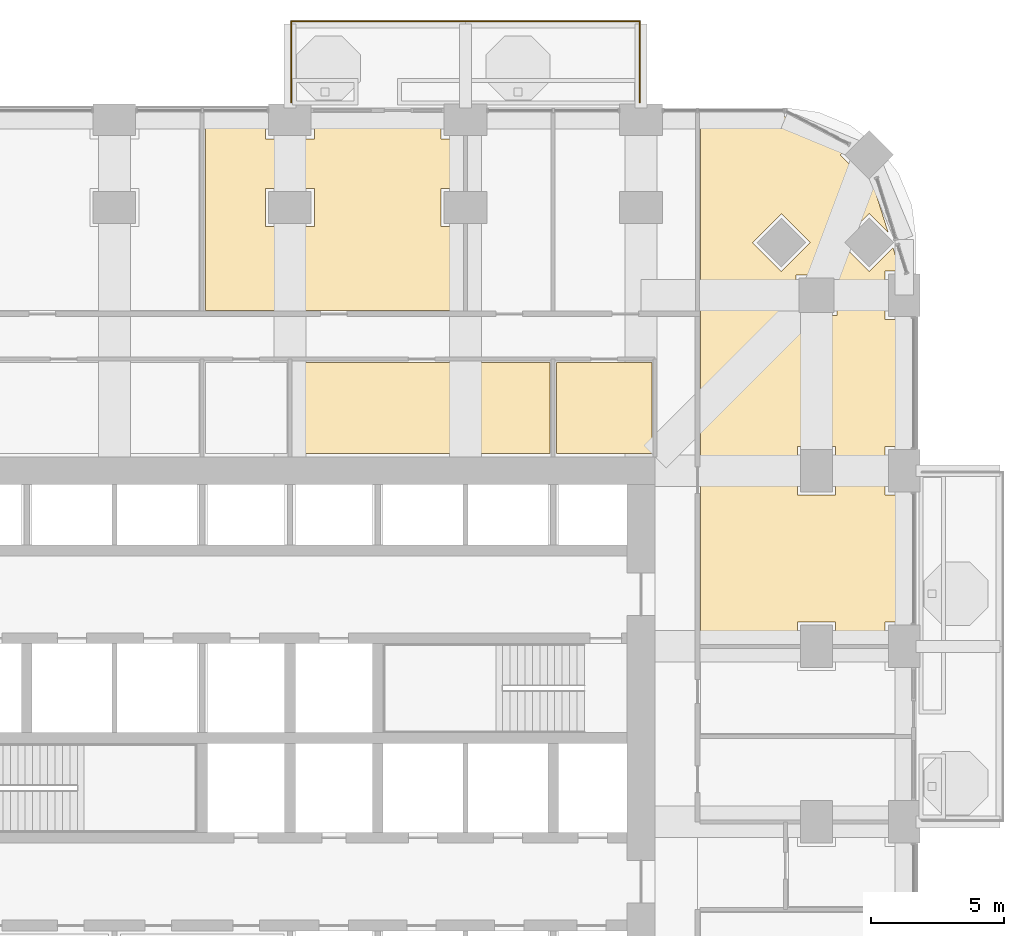
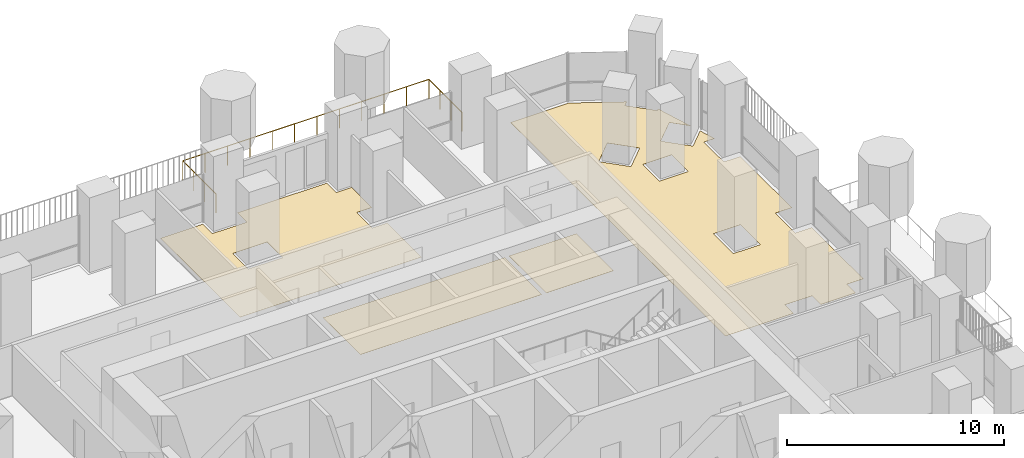
# One storey, part 21 of 22: 4 coverings, 1 railing.
"""IFC4 building model written with IfcOpenShell, lengths in metres."""

from ifc_helpers import new_model, si_unit, direction, frame, origin, place, context, subcontext, project, spatial, polyline, outline, extrude, material, layer, layer_set, type_object, element, save


model = new_model("IFC4")

# Units and contexts
model_context = context("Model", 3, precision=1e-05, world=origin(), true_north=direction((0.0, 1.0)))
body_context = subcontext(model_context, "Body", "Model", "MODEL_VIEW")
ifc_project = project(units=[si_unit("LENGTHUNIT", "METRE"), si_unit("AREAUNIT", "SQUARE_METRE"), si_unit("VOLUMEUNIT", "CUBIC_METRE"), si_unit("PLANEANGLEUNIT", "RADIAN"), si_unit("MASSUNIT", "GRAM", prefix="KILO")], contexts=[model_context])

# Site, building, storey
site_placement = place(None, origin())
site = spatial("IfcSite", under=ifc_project, at=site_placement, CompositionType="ELEMENT")
building_placement = place(site_placement, origin())
building = spatial("IfcBuilding", under=site, at=building_placement, Name="Cobogo Forest Laboratory Tower", CompositionType="ELEMENT")
storey_placement = place(building_placement, frame((0.0, 0.0, 94.800048828125)))
storey = spatial("IfcBuildingStorey", under=building, at=storey_placement, Name="L21", CompositionType="ELEMENT", Elevation=94.800048828125)

# Railing
ifc_material_1 = material(Name="Laminated glass balustrade", Category="glass")
railing_type = type_object("IfcRailingType", Name="BG1 glass balustrade 1100", PredefinedType="GUARDRAIL", material=ifc_material_1)
railing_placement = place(storey_placement, frame((26.449951171875, 46.85009765625, 0.0)))
element("IfcRailing", 1, at=railing_placement, inside=storey, type_object=railing_type, Name="Balcony balustrade BAL-N1 L21", PredefinedType="GUARDRAIL", context=body_context, shape_type="SweptSolid", body=[
    extrude(outline(polyline([(0.022216796875, 0.00927734375), (0.00927734375, 0.022216796875), (-0.00927734375, 0.022216796875), (-0.022216796875, 0.00927734375), (-0.022216796875, -0.00927734375), (-0.00927734375, -0.022216796875), (0.00927734375, -0.022216796875), (0.022216796875, -0.00927734375), (0.022216796875, 0.00927734375)])), frame((0.0, 0.0, 1.077880859375), z_axis=(0.0, 1.0, 0.0), x_axis=(-1.0, 0.0, 0.0)), (0.0, 0.0, 1.0), 3.0498046875),
    extrude(outline(polyline([(0.022216796875, 0.00927734375), (0.00927734375, 0.022216796875), (-0.00927734375, 0.022216796875), (-0.022216796875, 0.00927734375), (-0.022216796875, -0.00927734375), (-0.00927734375, -0.022216796875), (0.00927734375, -0.022216796875), (0.022216796875, -0.00927734375), (0.022216796875, 0.00927734375)])), frame((0.0, 3.0498046875, 1.077880859375), z_axis=(1.0, 0.0, 0.0), x_axis=(0.0, 1.0, 0.0)), (0.0, 0.0, 1.0), 13.10009765625),
    extrude(outline(polyline([(0.022216796875, 0.00927734375), (0.00927734375, 0.022216796875), (-0.00927734375, 0.022216796875), (-0.022216796875, 0.00927734375), (-0.022216796875, -0.00927734375), (-0.00927734375, -0.022216796875), (0.00927734375, -0.022216796875), (0.022216796875, -0.00927734375), (0.022216796875, 0.00927734375)])), frame((13.10009765625, 3.0498046875, 1.077880859375), z_axis=(0.0, -1.0, 0.0), x_axis=(1.0, 0.0, 0.0)), (0.0, 0.0, 1.0), 3.0498046875),
    extrude(outline(polyline([(0.019287109375, 0.008056640625), (0.008056640625, 0.019287109375), (-0.008056640625, 0.019287109375), (-0.019287109375, 0.008056640625), (-0.019287109375, -0.008056640625), (-0.008056640625, -0.019287109375), (0.008056640625, -0.019287109375), (0.019287109375, -0.008056640625), (0.019287109375, 0.008056640625)])), origin(), (0.0, 0.0, 1.0), 1.077880859375),
    extrude(outline(polyline([(0.019287109375, 0.008056640625), (0.008056640625, 0.019287109375), (-0.008056640625, 0.019287109375), (-0.019287109375, 0.008056640625), (-0.019287109375, -0.008056640625), (-0.008056640625, -0.019287109375), (0.008056640625, -0.019287109375), (0.019287109375, -0.008056640625), (0.019287109375, 0.008056640625)])), frame((0.0, 1.0166015625, 0.0)), (0.0, 0.0, 1.0), 1.077880859375),
    extrude(outline(polyline([(0.019287109375, 0.008056640625), (0.008056640625, 0.019287109375), (-0.008056640625, 0.019287109375), (-0.019287109375, 0.008056640625), (-0.019287109375, -0.008056640625), (-0.008056640625, -0.019287109375), (0.008056640625, -0.019287109375), (0.019287109375, -0.008056640625), (0.019287109375, 0.008056640625)])), frame((0.0, 2.033203125, 0.0)), (0.0, 0.0, 1.0), 1.077880859375),
    extrude(outline(polyline([(0.019287109375, 0.008056640625), (0.008056640625, 0.019287109375), (-0.008056640625, 0.019287109375), (-0.019287109375, 0.008056640625), (-0.019287109375, -0.008056640625), (-0.008056640625, -0.019287109375), (0.008056640625, -0.019287109375), (0.019287109375, -0.008056640625), (0.019287109375, 0.008056640625)])), frame((0.0, 3.0498046875, 0.0)), (0.0, 0.0, 1.0), 1.077880859375),
    extrude(outline(polyline([(0.019287109375, 0.008056640625), (0.008056640625, 0.019287109375), (-0.008056640625, 0.019287109375), (-0.019287109375, 0.008056640625), (-0.019287109375, -0.008056640625), (-0.008056640625, -0.019287109375), (0.008056640625, -0.019287109375), (0.019287109375, -0.008056640625), (0.019287109375, 0.008056640625)])), frame((1.19091796875, 3.0498046875, 0.0)), (0.0, 0.0, 1.0), 1.077880859375),
    extrude(outline(polyline([(0.019287109375, 0.008056640625), (0.008056640625, 0.019287109375), (-0.008056640625, 0.019287109375), (-0.019287109375, 0.008056640625), (-0.019287109375, -0.008056640625), (-0.008056640625, -0.019287109375), (0.008056640625, -0.019287109375), (0.019287109375, -0.008056640625), (0.019287109375, 0.008056640625)])), frame((2.3818359375, 3.0498046875, 0.0)), (0.0, 0.0, 1.0), 1.077880859375),
    extrude(outline(polyline([(0.019287109375, 0.008056640625), (0.008056640625, 0.019287109375), (-0.008056640625, 0.019287109375), (-0.019287109375, 0.008056640625), (-0.019287109375, -0.008056640625), (-0.008056640625, -0.019287109375), (0.008056640625, -0.019287109375), (0.019287109375, -0.008056640625), (0.019287109375, 0.008056640625)])), frame((3.57275390625, 3.0498046875, 0.0)), (0.0, 0.0, 1.0), 1.077880859375),
    extrude(outline(polyline([(0.019287109375, 0.008056640625), (0.008056640625, 0.019287109375), (-0.008056640625, 0.019287109375), (-0.019287109375, 0.008056640625), (-0.019287109375, -0.008056640625), (-0.008056640625, -0.019287109375), (0.008056640625, -0.019287109375), (0.019287109375, -0.008056640625), (0.019287109375, 0.008056640625)])), frame((4.763671875, 3.0498046875, 0.0)), (0.0, 0.0, 1.0), 1.077880859375),
    extrude(outline(polyline([(0.019287109375, 0.008056640625), (0.008056640625, 0.019287109375), (-0.008056640625, 0.019287109375), (-0.019287109375, 0.008056640625), (-0.019287109375, -0.008056640625), (-0.008056640625, -0.019287109375), (0.008056640625, -0.019287109375), (0.019287109375, -0.008056640625), (0.019287109375, 0.008056640625)])), frame((5.95458984375, 3.0498046875, 0.0)), (0.0, 0.0, 1.0), 1.077880859375),
    extrude(outline(polyline([(0.019287109375, 0.008056640625), (0.008056640625, 0.019287109375), (-0.008056640625, 0.019287109375), (-0.019287109375, 0.008056640625), (-0.019287109375, -0.008056640625), (-0.008056640625, -0.019287109375), (0.008056640625, -0.019287109375), (0.019287109375, -0.008056640625), (0.019287109375, 0.008056640625)])), frame((7.1455078125, 3.0498046875, 0.0)), (0.0, 0.0, 1.0), 1.077880859375),
    extrude(outline(polyline([(0.019287109375, 0.008056640625), (0.008056640625, 0.019287109375), (-0.008056640625, 0.019287109375), (-0.019287109375, 0.008056640625), (-0.019287109375, -0.008056640625), (-0.008056640625, -0.019287109375), (0.008056640625, -0.019287109375), (0.019287109375, -0.008056640625), (0.019287109375, 0.008056640625)])), frame((8.33642578125, 3.0498046875, 0.0)), (0.0, 0.0, 1.0), 1.077880859375),
    extrude(outline(polyline([(0.019287109375, 0.008056640625), (0.008056640625, 0.019287109375), (-0.008056640625, 0.019287109375), (-0.019287109375, 0.008056640625), (-0.019287109375, -0.008056640625), (-0.008056640625, -0.019287109375), (0.008056640625, -0.019287109375), (0.019287109375, -0.008056640625), (0.019287109375, 0.008056640625)])), frame((9.52734375, 3.0498046875, 0.0)), (0.0, 0.0, 1.0), 1.077880859375),
    extrude(outline(polyline([(0.019287109375, 0.008056640625), (0.008056640625, 0.019287109375), (-0.008056640625, 0.019287109375), (-0.019287109375, 0.008056640625), (-0.019287109375, -0.008056640625), (-0.008056640625, -0.019287109375), (0.008056640625, -0.019287109375), (0.019287109375, -0.008056640625), (0.019287109375, 0.008056640625)])), frame((10.71826171875, 3.0498046875, 0.0)), (0.0, 0.0, 1.0), 1.077880859375),
    extrude(outline(polyline([(0.019287109375, 0.008056640625), (0.008056640625, 0.019287109375), (-0.008056640625, 0.019287109375), (-0.019287109375, 0.008056640625), (-0.019287109375, -0.008056640625), (-0.008056640625, -0.019287109375), (0.008056640625, -0.019287109375), (0.019287109375, -0.008056640625), (0.019287109375, 0.008056640625)])), frame((11.9091796875, 3.0498046875, 0.0)), (0.0, 0.0, 1.0), 1.077880859375),
    extrude(outline(polyline([(0.019287109375, 0.008056640625), (0.008056640625, 0.019287109375), (-0.008056640625, 0.019287109375), (-0.019287109375, 0.008056640625), (-0.019287109375, -0.008056640625), (-0.008056640625, -0.019287109375), (0.008056640625, -0.019287109375), (0.019287109375, -0.008056640625), (0.019287109375, 0.008056640625)])), frame((13.10009765625, 3.0498046875, 0.0)), (0.0, 0.0, 1.0), 1.077880859375),
    extrude(outline(polyline([(0.019287109375, 0.008056640625), (0.008056640625, 0.019287109375), (-0.008056640625, 0.019287109375), (-0.019287109375, 0.008056640625), (-0.019287109375, -0.008056640625), (-0.008056640625, -0.019287109375), (0.008056640625, -0.019287109375), (0.019287109375, -0.008056640625), (0.019287109375, 0.008056640625)])), frame((13.10009765625, 2.033203125, 0.0)), (0.0, 0.0, 1.0), 1.077880859375),
    extrude(outline(polyline([(0.019287109375, 0.008056640625), (0.008056640625, 0.019287109375), (-0.008056640625, 0.019287109375), (-0.019287109375, 0.008056640625), (-0.019287109375, -0.008056640625), (-0.008056640625, -0.019287109375), (0.008056640625, -0.019287109375), (0.019287109375, -0.008056640625), (0.019287109375, 0.008056640625)])), frame((13.10009765625, 1.0166015625, 0.0)), (0.0, 0.0, 1.0), 1.077880859375),
    extrude(outline(polyline([(0.019287109375, 0.008056640625), (0.008056640625, 0.019287109375), (-0.008056640625, 0.019287109375), (-0.019287109375, 0.008056640625), (-0.019287109375, -0.008056640625), (-0.008056640625, -0.019287109375), (0.008056640625, -0.019287109375), (0.019287109375, -0.008056640625), (0.019287109375, 0.008056640625)])), frame((13.10009765625, 0.0, 0.0)), (0.0, 0.0, 1.0), 1.077880859375),
])

# Coverings
ifc_material_2 = material(Name="Carpet tile on raised access floor", Category="flooring")
ifc_layer_1 = layer(ifc_material_2, 0.008056640625)
ifc_layer_set_1 = layer_set([ifc_layer_1], Name="CT1 carpet tile floor 8")
covering_type_1 = type_object("IfcCoveringType", Name="CT1 carpet tile floor 8", PredefinedType="FLOORING", material=ifc_layer_set_1)
covering_1_placement = place(storey_placement, origin())
element("IfcCovering", 2, at=covering_1_placement, inside=storey, type_object=covering_type_1, Name="Carpet floor L21-20", PredefinedType="FLOORING", context=body_context, shape_type="SweptSolid", body=[
    extrude(outline(polyline([(41.844970703125, 46.35009765625), (44.95068359375, 46.35009765625), (47.3193359375, 45.1083984375), (47.093017578125, 44.882080078125), (48.181884765625, 43.79296875), (48.283935546875, 43.89501953125), (48.89599609375, 41.95703125), (48.181884765625, 42.6708984375), (47.093017578125, 41.58203125), (48.181884765625, 40.492919921875), (49.075927734375, 41.386962890625), (49.349853515625, 40.52001953125), (48.780029296875, 40.52001953125), (48.780029296875, 38.679931640625), (49.64990234375, 38.679931640625), (49.64990234375, 33.919921875), (48.780029296875, 33.919921875), (48.780029296875, 32.080078125), (49.64990234375, 32.080078125), (49.64990234375, 27.320068359375), (48.780029296875, 27.320068359375), (48.780029296875, 26.52001953125), (46.919921875, 26.52001953125), (46.919921875, 27.320068359375), (45.47998046875, 27.320068359375), (45.47998046875, 26.52001953125), (41.844970703125, 26.52001953125), (41.844970703125, 46.35009765625)]), holes=[polyline([(45.429931640625, 40.3701171875), (45.429931640625, 38.830078125), (46.969970703125, 38.830078125), (46.969970703125, 40.3701171875), (45.429931640625, 40.3701171875)]), polyline([(46.919921875, 32.080078125), (46.919921875, 33.919921875), (45.47998046875, 33.919921875), (45.47998046875, 32.080078125), (46.919921875, 32.080078125)]), polyline([(43.79296875, 41.58203125), (44.882080078125, 40.492919921875), (45.970947265625, 41.58203125), (44.882080078125, 42.6708984375), (43.79296875, 41.58203125)])]), origin(), (0.0, 0.0, 1.0), 0.008056640625),
])
ifc_material_3 = material(Name="Epoxy resin flooring", Category="flooring")
ifc_layer_2 = layer(ifc_material_3, 0.00390625)
ifc_layer_set_2 = layer_set([ifc_layer_2], Name="LF1 epoxy laboratory floor 4")
covering_type_2 = type_object("IfcCoveringType", Name="LF1 epoxy laboratory floor 4", PredefinedType="FLOORING", material=ifc_layer_set_2)
covering_2_placement = place(storey_placement, origin())
element("IfcCovering", 3, at=covering_2_placement, inside=storey, type_object=covering_type_2, Name="Epoxy laboratory floor L21-03", PredefinedType="FLOORING", context=body_context, shape_type="SweptSolid", body=[
    extrude(outline(polyline([(36.179931640625, 33.64501953125), (26.52001953125, 33.64501953125), (26.52001953125, 37.080078125), (36.179931640625, 37.080078125), (36.179931640625, 33.64501953125)])), origin(), (0.0, 0.0, 1.0), 0.00390625),
])
ifc_material_4 = material(Name="Ceramic floor tile", Category="flooring")
ifc_layer_3 = layer(ifc_material_4, 0.010009765625)
ifc_layer_set_3 = layer_set([ifc_layer_3], Name="TF1 ceramic tile floor 10")
covering_type_3 = type_object("IfcCoveringType", Name="TF1 ceramic tile floor 10", PredefinedType="FLOORING", material=ifc_layer_set_3)
covering_3_placement = place(storey_placement, origin())
element("IfcCovering", 4, at=covering_3_placement, inside=storey, type_object=covering_type_3, Name="Tile floor L21-04", PredefinedType="FLOORING", context=body_context, shape_type="SweptSolid", body=[
    extrude(outline(polyline([(40.0048828125, 33.64501953125), (36.419921875, 33.64501953125), (36.419921875, 37.080078125), (40.0048828125, 37.080078125), (40.0048828125, 33.64501953125)])), origin(), (0.0, 0.0, 1.0), 0.010009765625),
])
covering_4_placement = place(storey_placement, origin())
element("IfcCovering", 5, at=covering_4_placement, inside=storey, type_object=covering_type_3, Name="Tile floor L21-22", PredefinedType="FLOORING", context=body_context, shape_type="SweptSolid", body=[
    extrude(outline(polyline([(23.219970703125, 39.02001953125), (23.219970703125, 46.35009765625), (25.47998046875, 46.35009765625), (25.47998046875, 45.47998046875), (27.320068359375, 45.47998046875), (27.320068359375, 46.35009765625), (32.080078125, 46.35009765625), (32.080078125, 45.47998046875), (32.8798828125, 45.47998046875), (32.8798828125, 43.6201171875), (32.080078125, 43.6201171875), (32.080078125, 42.179931640625), (32.8798828125, 42.179931640625), (32.8798828125, 39.02001953125), (23.219970703125, 39.02001953125)]), holes=[polyline([(25.47998046875, 43.6201171875), (25.47998046875, 42.179931640625), (27.320068359375, 42.179931640625), (27.320068359375, 43.6201171875), (25.47998046875, 43.6201171875)])]), origin(), (0.0, 0.0, 1.0), 0.010009765625),
])

save(model, "model.ifc")
